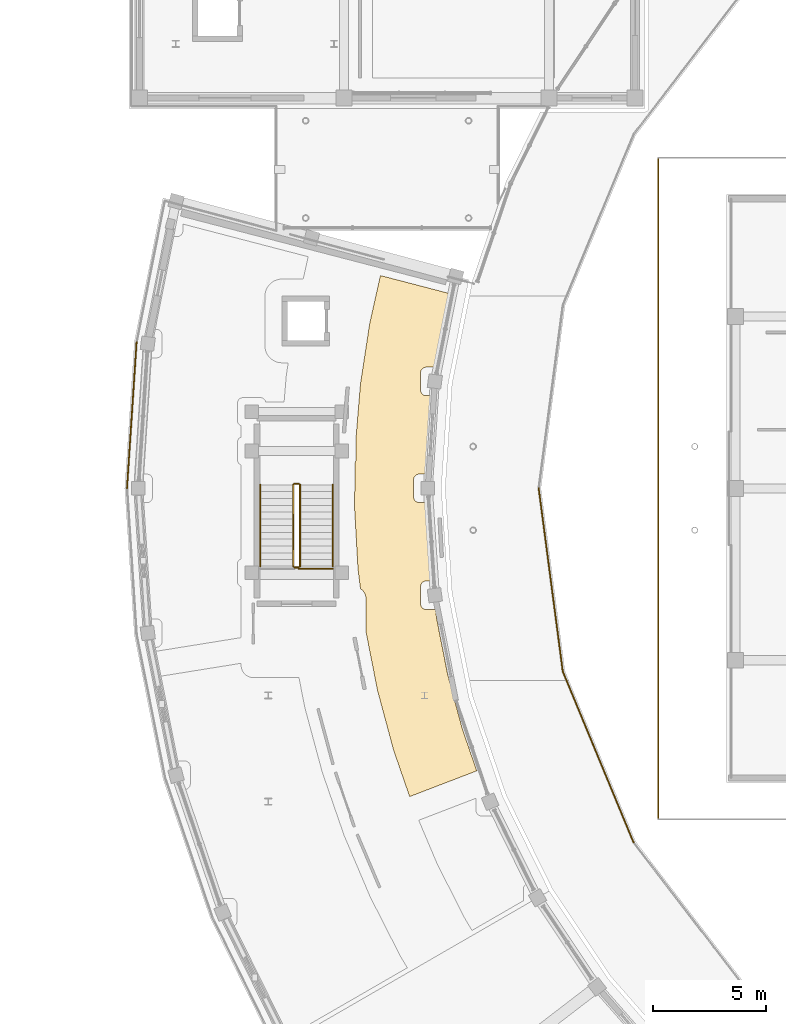
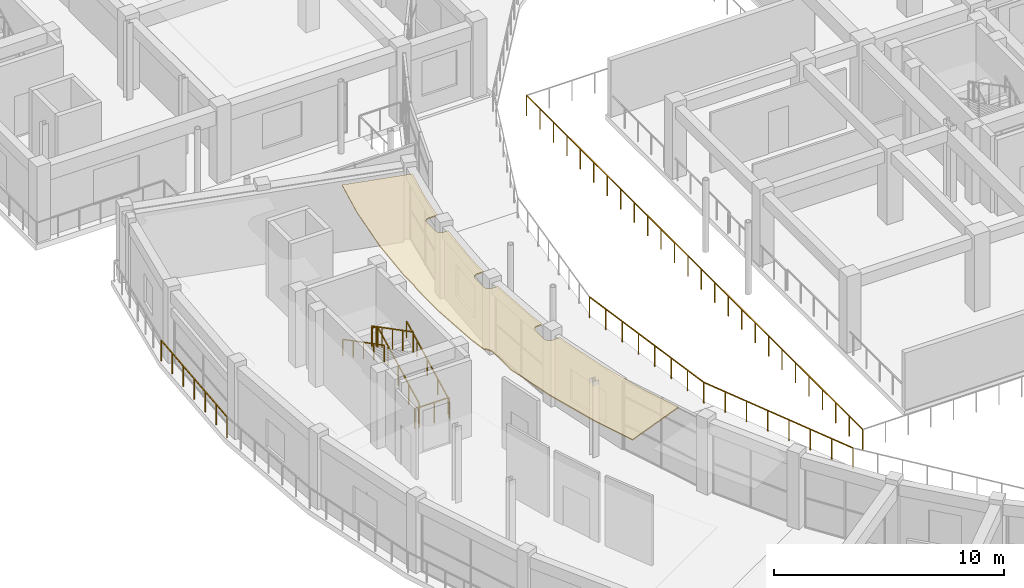
# One storey, part 71 of 83: 11 railings, 1 covering.
"""IFC4 building model written with IfcOpenShell, lengths in metres."""

from ifc_helpers import new_model, si_unit, direction, frame, origin, origin_2d, place, context, subcontext, project, spatial, polyline, rectangle, outline, extrude, material, layer, layer_set, type_object, element, save


model = new_model("IFC4")

# Units and contexts
model_context = context("Model", 3, precision=1e-05, world=origin(), true_north=direction((0.0, 1.0)))
body_context = subcontext(model_context, "Body", "Model", "MODEL_VIEW")
ifc_project = project(units=[si_unit("LENGTHUNIT", "METRE"), si_unit("AREAUNIT", "SQUARE_METRE"), si_unit("VOLUMEUNIT", "CUBIC_METRE"), si_unit("PLANEANGLEUNIT", "RADIAN"), si_unit("MASSUNIT", "GRAM", prefix="KILO")], contexts=[model_context])

# Site, building, storey
site_placement = place(None, origin())
site = spatial("IfcSite", under=ifc_project, at=site_placement, CompositionType="ELEMENT")
building_placement = place(site_placement, origin())
building = spatial("IfcBuilding", under=site, at=building_placement, Name="Saryqyr Civic Hall", CompositionType="ELEMENT")
storey_placement = place(building_placement, frame((0.0, 0.0, 9.14990234375)))
storey = spatial("IfcBuildingStorey", under=building, at=storey_placement, Name="L02", CompositionType="ELEMENT", Elevation=9.14990234375)

# Railing
ifc_material_1 = material(Name="Stainless steel and laminated glass", Category="steel")
ifc_layer_1 = layer(ifc_material_1, 0.06005859375, Name="Stainless steel and laminated glass")
ifc_layer_set_1 = layer_set([ifc_layer_1], Name="Stainless steel and laminated glass")
railing_type_1 = type_object("IfcRailingType", Name="ENV-RLG-BAL-1100", PredefinedType="BALUSTRADE", material=ifc_layer_set_1)
railing_1_placement = place(storey_placement, frame((30.97998046875, 98.6201171875, 0.0)))
element("IfcRailing", 1, at=railing_1_placement, inside=storey, type_object=railing_type_1, Name="Perimeter safety balustrade V1-STEPG-L02-G10", PredefinedType="BALUSTRADE", context=body_context, shape_type="SweptSolid", body=[
    extrude(rectangle(XDim=0.048095703125, YDim=0.048095703125, at=origin_2d()), frame((0.0, 0.0, 1.076171875), z_axis=(0.0, -1.0, 0.0), x_axis=(1.0, 0.0, 0.0)), (0.0, 0.0, 1.0), 29.240234375),
    extrude(rectangle(XDim=0.0419921875, YDim=0.0419921875, at=origin_2d()), origin(), (0.0, 0.0, 1.0), 1.052001953125),
    extrude(rectangle(XDim=0.0419921875, YDim=0.0419921875, at=origin_2d()), frame((0.0, -1.169677734375, 0.0)), (0.0, 0.0, 1.0), 1.052001953125),
    extrude(rectangle(XDim=0.0419921875, YDim=0.0419921875, at=origin_2d()), frame((0.0, -2.339111328125, 0.0)), (0.0, 0.0, 1.0), 1.052001953125),
    extrude(rectangle(XDim=0.0419921875, YDim=0.0419921875, at=origin_2d()), frame((0.0, -3.5087890625, 0.0)), (0.0, 0.0, 1.0), 1.052001953125),
    extrude(rectangle(XDim=0.0419921875, YDim=0.0419921875, at=origin_2d()), frame((0.0, -4.678466796875, 0.0)), (0.0, 0.0, 1.0), 1.052001953125),
    extrude(rectangle(XDim=0.0419921875, YDim=0.0419921875, at=origin_2d()), frame((0.0, -5.84814453125, 0.0)), (0.0, 0.0, 1.0), 1.052001953125),
    extrude(rectangle(XDim=0.0419921875, YDim=0.0419921875, at=origin_2d()), frame((0.0, -7.017578125, 0.0)), (0.0, 0.0, 1.0), 1.052001953125),
    extrude(rectangle(XDim=0.0419921875, YDim=0.0419921875, at=origin_2d()), frame((0.0, -8.187255859375, 0.0)), (0.0, 0.0, 1.0), 1.052001953125),
    extrude(rectangle(XDim=0.0419921875, YDim=0.0419921875, at=origin_2d()), frame((0.0, -9.35693359375, 0.0)), (0.0, 0.0, 1.0), 1.052001953125),
    extrude(rectangle(XDim=0.0419921875, YDim=0.0419921875, at=origin_2d()), frame((0.0, -10.5263671875, 0.0)), (0.0, 0.0, 1.0), 1.052001953125),
    extrude(rectangle(XDim=0.0419921875, YDim=0.0419921875, at=origin_2d()), frame((0.0, -11.696044921875, 0.0)), (0.0, 0.0, 1.0), 1.052001953125),
    extrude(rectangle(XDim=0.0419921875, YDim=0.0419921875, at=origin_2d()), frame((0.0, -12.86572265625, 0.0)), (0.0, 0.0, 1.0), 1.052001953125),
    extrude(rectangle(XDim=0.0419921875, YDim=0.0419921875, at=origin_2d()), frame((0.0, -14.035400390625, 0.0)), (0.0, 0.0, 1.0), 1.052001953125),
    extrude(rectangle(XDim=0.0419921875, YDim=0.0419921875, at=origin_2d()), frame((0.0, -15.204833984375, 0.0)), (0.0, 0.0, 1.0), 1.052001953125),
    extrude(rectangle(XDim=0.0419921875, YDim=0.0419921875, at=origin_2d()), frame((0.0, -16.37451171875, 0.0)), (0.0, 0.0, 1.0), 1.052001953125),
    extrude(rectangle(XDim=0.0419921875, YDim=0.0419921875, at=origin_2d()), frame((0.0, -17.544189453125, 0.0)), (0.0, 0.0, 1.0), 1.052001953125),
    extrude(rectangle(XDim=0.0419921875, YDim=0.0419921875, at=origin_2d()), frame((0.0, -18.7138671875, 0.0)), (0.0, 0.0, 1.0), 1.052001953125),
    extrude(rectangle(XDim=0.0419921875, YDim=0.0419921875, at=origin_2d()), frame((0.0, -19.88330078125, 0.0)), (0.0, 0.0, 1.0), 1.052001953125),
    extrude(rectangle(XDim=0.0419921875, YDim=0.0419921875, at=origin_2d()), frame((0.0, -21.052978515625, 0.0)), (0.0, 0.0, 1.0), 1.052001953125),
    extrude(rectangle(XDim=0.0419921875, YDim=0.0419921875, at=origin_2d()), frame((0.0, -22.22265625, 0.0)), (0.0, 0.0, 1.0), 1.052001953125),
    extrude(rectangle(XDim=0.0419921875, YDim=0.0419921875, at=origin_2d()), frame((0.0, -23.39208984375, 0.0)), (0.0, 0.0, 1.0), 1.052001953125),
    extrude(rectangle(XDim=0.0419921875, YDim=0.0419921875, at=origin_2d()), frame((0.0, -24.561767578125, 0.0)), (0.0, 0.0, 1.0), 1.052001953125),
    extrude(rectangle(XDim=0.0419921875, YDim=0.0419921875, at=origin_2d()), frame((0.0, -25.7314453125, 0.0)), (0.0, 0.0, 1.0), 1.052001953125),
    extrude(rectangle(XDim=0.0419921875, YDim=0.0419921875, at=origin_2d()), frame((0.0, -26.901123046875, 0.0)), (0.0, 0.0, 1.0), 1.052001953125),
    extrude(rectangle(XDim=0.0419921875, YDim=0.0419921875, at=origin_2d()), frame((0.0, -28.070556640625, 0.0)), (0.0, 0.0, 1.0), 1.052001953125),
    extrude(rectangle(XDim=0.0419921875, YDim=0.0419921875, at=origin_2d()), frame((0.0, -29.240234375, 0.0)), (0.0, 0.0, 1.0), 1.052001953125),
])

# Covering
ifc_material_2 = material(Name="Mineral-fibre acoustic ceiling tile", Category="acoustic_tile")
ifc_layer_2 = layer(ifc_material_2, 0.06005859375, Name="Mineral-fibre acoustic ceiling tile")
ifc_layer_set_2 = layer_set([ifc_layer_2], Name="Mineral-fibre acoustic ceiling tile")
covering_type = type_object("IfcCoveringType", Name="INT-COV-CEIL-60", PredefinedType="CEILING", material=ifc_layer_set_2)
covering_placement = place(storey_placement, frame((0.0, 0.0, 3.72998046875)))
element("IfcCovering", 2, at=covering_placement, inside=storey, type_object=covering_type, Name="Acoustic ceiling Urban Architecture & GIS Studio", PredefinedType="CEILING", context=body_context, shape_type="SweptSolid", body=[
    extrude(outline(polyline([(17.58544921875, 85.143798828125), (17.590576171875, 85.152099609375), (17.60107421875, 85.17431640625), (17.609130859375, 85.197509765625), (17.615234375, 85.22119140625), (17.618896484375, 85.24560546875), (17.6201171875, 85.27001953125), (17.6201171875, 86.030029296875), (17.618896484375, 86.054443359375), (17.615234375, 86.078857421875), (17.612548828125, 86.089599609375), (17.818603515625, 88.592529296875), (18.22900390625, 91.28564453125), (18.703857421875, 93.406982421875), (21.780517578125, 92.605712890625), (21.35791015625, 90.717041015625), (21.350830078125, 90.6796875), (21.14892578125, 89.35498046875), (20.729736328125, 89.35498046875), (20.705078125, 89.353759765625), (20.680908203125, 89.35009765625), (20.656982421875, 89.34423828125), (20.634033203125, 89.3359375), (20.61181640625, 89.325439453125), (20.5908203125, 89.31298828125), (20.571044921875, 89.29833984375), (20.552978515625, 89.28173828125), (20.536376953125, 89.263671875), (20.521728515625, 89.243896484375), (20.50927734375, 89.222900390625), (20.498779296875, 89.20068359375), (20.490478515625, 89.177490234375), (20.484619140625, 89.15380859375), (20.48095703125, 89.12939453125), (20.479736328125, 89.10498046875), (20.479736328125, 88.344970703125), (20.48095703125, 88.320556640625), (20.484619140625, 88.296142578125), (20.490478515625, 88.2724609375), (20.498779296875, 88.249267578125), (20.50927734375, 88.227294921875), (20.521728515625, 88.2060546875), (20.536376953125, 88.186279296875), (20.552978515625, 88.168212890625), (20.571044921875, 88.151611328125), (20.5908203125, 88.13720703125), (20.61181640625, 88.12451171875), (20.634033203125, 88.114013671875), (20.656982421875, 88.105712890625), (20.680908203125, 88.099853515625), (20.705078125, 88.09619140625), (20.729736328125, 88.094970703125), (20.9658203125, 88.094970703125), (20.7724609375, 85.7451171875), (20.7705078125, 85.707275390625), (20.75634765625, 84.6298828125), (20.419921875, 84.6298828125), (20.3955078125, 84.62890625), (20.37109375, 84.625244140625), (20.347412109375, 84.619140625), (20.32421875, 84.611083984375), (20.30224609375, 84.6005859375), (20.281005859375, 84.587890625), (20.261474609375, 84.5732421875), (20.2431640625, 84.556884765625), (20.226806640625, 84.53857421875), (20.212158203125, 84.518798828125), (20.199462890625, 84.497802734375), (20.18896484375, 84.4755859375), (20.180908203125, 84.45263671875), (20.1748046875, 84.4287109375), (20.171142578125, 84.404541015625), (20.169921875, 84.3798828125), (20.169921875, 83.6201171875), (20.171142578125, 83.595458984375), (20.1748046875, 83.5712890625), (20.180908203125, 83.54736328125), (20.18896484375, 83.5244140625), (20.199462890625, 83.502197265625), (20.212158203125, 83.481201171875), (20.226806640625, 83.46142578125), (20.2431640625, 83.443115234375), (20.261474609375, 83.4267578125), (20.281005859375, 83.412109375), (20.30224609375, 83.3994140625), (20.32421875, 83.388916015625), (20.347412109375, 83.380859375), (20.37109375, 83.374755859375), (20.3955078125, 83.37109375), (20.419921875, 83.3701171875), (20.739990234375, 83.3701171875), (20.73828125, 83.240966796875), (20.739013671875, 83.202880859375), (20.877197265625, 80.739990234375), (20.880615234375, 80.702392578125), (20.980712890625, 79.905029296875), (20.729736328125, 79.905029296875), (20.705078125, 79.90380859375), (20.680908203125, 79.900146484375), (20.656982421875, 79.894287109375), (20.634033203125, 79.885986328125), (20.61181640625, 79.87548828125), (20.5908203125, 79.86279296875), (20.571044921875, 79.848388671875), (20.552978515625, 79.831787109375), (20.536376953125, 79.813720703125), (20.521728515625, 79.7939453125), (20.50927734375, 79.772705078125), (20.498779296875, 79.750732421875), (20.490478515625, 79.7275390625), (20.484619140625, 79.703857421875), (20.48095703125, 79.679443359375), (20.479736328125, 79.655029296875), (20.479736328125, 78.89501953125), (20.48095703125, 78.87060546875), (20.484619140625, 78.84619140625), (20.490478515625, 78.822509765625), (20.498779296875, 78.79931640625), (20.50927734375, 78.777099609375), (20.521728515625, 78.756103515625), (20.536376953125, 78.736328125), (20.552978515625, 78.71826171875), (20.571044921875, 78.70166015625), (20.5908203125, 78.68701171875), (20.61181640625, 78.674560546875), (20.634033203125, 78.6640625), (20.656982421875, 78.65576171875), (20.680908203125, 78.64990234375), (20.705078125, 78.646240234375), (20.729736328125, 78.64501953125), (21.13916015625, 78.64501953125), (21.188232421875, 78.2548828125), (21.194091796875, 78.21728515625), (21.670166015625, 75.797119140625), (21.6787109375, 75.760009765625), (22.3203125, 73.37841796875), (22.33154296875, 73.342041015625), (22.962890625, 71.5126953125), (19.9951171875, 70.37255859375), (19.285888671875, 72.427490234375), (18.5771484375, 75.0576171875), (18.070068359375, 77.637451171875), (18.06982421875, 79.10205078125), (18.067138671875, 79.15625), (18.05908203125, 79.209716796875), (18.0458984375, 79.262451171875), (18.027587890625, 79.3134765625), (18.00439453125, 79.3623046875), (17.976318359375, 79.40869140625), (17.94384765625, 79.452392578125), (17.907470703125, 79.4921875), (17.866943359375, 79.528564453125), (17.8232421875, 79.560791015625), (17.821533203125, 79.561767578125), (17.7119140625, 80.43359375), (17.559326171875, 83.153564453125), (17.58544921875, 85.143798828125)])), origin(), (0.0, 0.0, 1.0), 0.06005859375),
])

# Railings
ifc_material_3 = material(Name="Warm brushed brass and laminated glass", Category="glass")
ifc_layer_3 = layer(ifc_material_3, 0.06005859375, Name="Warm brushed brass and laminated glass")
ifc_layer_set_3 = layer_set([ifc_layer_3], Name="Warm brushed brass and laminated glass")
railing_type_2 = type_object("IfcRailingType", Name="INT-RLG-BAL-1100", PredefinedType="BALUSTRADE", material=ifc_layer_set_3)
railing_2_placement = place(storey_placement, frame((15.14990234375, 80.550048828125, 0.15576171875)))
element("IfcRailing", 3, at=railing_2_placement, inside=storey, type_object=railing_type_2, Name="L02 ST-4 stair guard 1", PredefinedType="BALUSTRADE", context=body_context, shape_type="SweptSolid", body=[
    extrude(rectangle(XDim=0.048095703125, YDim=0.048095703125, at=origin_2d()), frame((0.0, 0.0, 1.076171875), z_axis=(0.0, 0.887472880572, 0.460859942119), x_axis=(-1.0, 0.0, 0.0)), (0.0, 0.0, 1.0), 4.056396484375),
    extrude(rectangle(XDim=0.0419921875, YDim=0.0419921875, at=origin_2d()), origin(), (0.0, 0.0, 1.0), 1.052001953125),
    extrude(rectangle(XDim=0.0419921875, YDim=0.0419921875, at=origin_2d()), frame((0.0, 0.89990234375, 0.46728515625)), (0.0, 0.0, 1.0), 1.052001953125),
    extrude(rectangle(XDim=0.0419921875, YDim=0.0419921875, at=origin_2d()), frame((0.0, 1.7998046875, 0.9345703125)), (0.0, 0.0, 1.0), 1.052001953125),
    extrude(rectangle(XDim=0.0419921875, YDim=0.0419921875, at=origin_2d()), frame((0.0, 2.699951171875, 1.402099609375)), (0.0, 0.0, 1.0), 1.052001953125),
    extrude(rectangle(XDim=0.0419921875, YDim=0.0419921875, at=origin_2d()), frame((0.0, 3.599853515625, 1.869384765625)), (0.0, 0.0, 1.0), 1.052001953125),
])
railing_3_placement = place(storey_placement, frame((15.10009765625, 84.199951171875, 2.025146484375)))
element("IfcRailing", 4, at=railing_3_placement, inside=storey, type_object=railing_type_2, Name="L02 ST-4 stair guard 2", PredefinedType="BALUSTRADE", context=body_context, shape_type="SweptSolid", body=[
    extrude(rectangle(XDim=0.048095703125, YDim=0.048095703125, at=origin_2d()), frame((0.0, 0.0, 1.076171875), z_axis=(-1.0, 0.0, 0.0), x_axis=(0.0, -1.0, 0.0)), (0.0, 0.0, 1.0), 0.2001953125),
    extrude(rectangle(XDim=0.0419921875, YDim=0.0419921875, at=origin_2d()), origin(), (0.0, 0.0, 1.0), 1.052001953125),
    extrude(rectangle(XDim=0.0419921875, YDim=0.0419921875, at=origin_2d()), frame((-0.2001953125, 0.0, 0.0)), (0.0, 0.0, 1.0), 1.052001953125),
])
railing_4_placement = place(storey_placement, frame((14.85009765625, 84.14990234375, 2.180908203125)))
element("IfcRailing", 5, at=railing_4_placement, inside=storey, type_object=railing_type_2, Name="L02 ST-4 stair guard 3", PredefinedType="BALUSTRADE", context=body_context, shape_type="SweptSolid", body=[
    extrude(rectangle(XDim=0.048095703125, YDim=0.048095703125, at=origin_2d()), frame((0.0, 0.0, 1.076171875), z_axis=(0.0, -0.887497496945, 0.460812535545), x_axis=(1.0, 0.0, 0.0)), (0.0, 0.0, 1.0), 4.05615234375),
    extrude(rectangle(XDim=0.0419921875, YDim=0.0419921875, at=origin_2d()), origin(), (0.0, 0.0, 1.0), 1.052001953125),
    extrude(rectangle(XDim=0.0419921875, YDim=0.0419921875, at=origin_2d()), frame((0.0, -0.89990234375, 0.46728515625)), (0.0, 0.0, 1.0), 1.052001953125),
    extrude(rectangle(XDim=0.0419921875, YDim=0.0419921875, at=origin_2d()), frame((0.0, -1.7998046875, 0.9345703125)), (0.0, 0.0, 1.0), 1.052001953125),
    extrude(rectangle(XDim=0.0419921875, YDim=0.0419921875, at=origin_2d()), frame((0.0, -2.699951171875, 1.40185546875)), (0.0, 0.0, 1.0), 1.052001953125),
    extrude(rectangle(XDim=0.0419921875, YDim=0.0419921875, at=origin_2d()), frame((0.0, -3.599853515625, 1.869140625)), (0.0, 0.0, 1.0), 1.052001953125),
])
railing_5_placement = place(storey_placement, frame((15.10009765625, 80.5, 0.0)))
element("IfcRailing", 6, at=railing_5_placement, inside=storey, type_object=railing_type_2, Name="L02 ST-4 stair guard 4", PredefinedType="BALUSTRADE", context=body_context, shape_type="SweptSolid", body=[
    extrude(rectangle(XDim=0.048095703125, YDim=0.048095703125, at=origin_2d()), frame((0.0, 0.0, 1.076171875), z_axis=(-1.0, 0.0, 0.0), x_axis=(0.0, -1.0, 0.0)), (0.0, 0.0, 1.0), 0.2001953125),
    extrude(rectangle(XDim=0.0419921875, YDim=0.0419921875, at=origin_2d()), origin(), (0.0, 0.0, 1.0), 1.052001953125),
    extrude(rectangle(XDim=0.0419921875, YDim=0.0419921875, at=origin_2d()), frame((-0.2001953125, 0.0, 0.0)), (0.0, 0.0, 1.0), 1.052001953125),
])
railing_6_placement = place(storey_placement, frame((7.500244140625, 84.0, 0.0)))
element("IfcRailing", 7, at=railing_6_placement, inside=storey, type_object=railing_type_2, Name="Interior deck safety balustrade L02-011", PredefinedType="BALUSTRADE", context=body_context, shape_type="SweptSolid", body=[
    extrude(rectangle(XDim=0.048095703125, YDim=0.048095703125, at=origin_2d()), frame((0.0, 0.0, 1.09619140625), z_axis=(0.0653827723, 0.997860257294, 0.0), x_axis=(-0.997860257294, 0.0653827723, 0.0)), (0.0, 0.0, 1.0), 6.474853515625),
    extrude(rectangle(XDim=0.0419921875, YDim=0.0419921875, at=origin_2d()), origin(), (0.0, 0.0, 1.0), 1.072021484375),
    extrude(rectangle(XDim=0.0419921875, YDim=0.0419921875, at=origin_2d()), frame((0.070556640625, 1.076904296875, 0.0)), (0.0, 0.0, 1.0), 1.072021484375),
    extrude(rectangle(XDim=0.0419921875, YDim=0.0419921875, at=origin_2d()), frame((0.14111328125, 2.153564453125, 0.0)), (0.0, 0.0, 1.0), 1.072021484375),
    extrude(rectangle(XDim=0.0419921875, YDim=0.0419921875, at=origin_2d()), frame((0.211669921875, 3.23046875, 0.0)), (0.0, 0.0, 1.0), 1.072021484375),
    extrude(rectangle(XDim=0.0419921875, YDim=0.0419921875, at=origin_2d()), frame((0.2822265625, 4.307373046875, 0.0)), (0.0, 0.0, 1.0), 1.072021484375),
    extrude(rectangle(XDim=0.0419921875, YDim=0.0419921875, at=origin_2d()), frame((0.352783203125, 5.384033203125, 0.0)), (0.0, 0.0, 1.0), 1.072021484375),
    extrude(rectangle(XDim=0.0419921875, YDim=0.0419921875, at=origin_2d()), frame((0.42333984375, 6.4609375, 0.0)), (0.0, 0.0, 1.0), 1.072021484375),
])
railing_7_placement = place(storey_placement, frame((25.69921875, 84.0, 0.0)))
element("IfcRailing", 8, at=railing_7_placement, inside=storey, type_object=railing_type_2, Name="Interior deck safety balustrade L02-077", PredefinedType="BALUSTRADE", context=body_context, shape_type="SweptSolid", body=[
    extrude(rectangle(XDim=0.048095703125, YDim=0.048095703125, at=origin_2d()), frame((0.0, 0.0, 1.09619140625), z_axis=(0.130507841558, -0.991447277112, 0.0), x_axis=(0.991447277112, 0.130507841558, 0.0)), (0.0, 0.0, 1.0), 8.171142578125),
    extrude(rectangle(XDim=0.0419921875, YDim=0.0419921875, at=origin_2d()), origin(), (0.0, 0.0, 1.0), 1.072021484375),
    extrude(rectangle(XDim=0.0419921875, YDim=0.0419921875, at=origin_2d()), frame((0.15234375, -1.1572265625, 0.0)), (0.0, 0.0, 1.0), 1.072021484375),
    extrude(rectangle(XDim=0.0419921875, YDim=0.0419921875, at=origin_2d()), frame((0.3046875, -2.314697265625, 0.0)), (0.0, 0.0, 1.0), 1.072021484375),
    extrude(rectangle(XDim=0.0419921875, YDim=0.0419921875, at=origin_2d()), frame((0.45703125, -3.471923828125, 0.0)), (0.0, 0.0, 1.0), 1.072021484375),
    extrude(rectangle(XDim=0.0419921875, YDim=0.0419921875, at=origin_2d()), frame((0.609375, -4.62939453125, 0.0)), (0.0, 0.0, 1.0), 1.072021484375),
    extrude(rectangle(XDim=0.0419921875, YDim=0.0419921875, at=origin_2d()), frame((0.76171875, -5.78662109375, 0.0)), (0.0, 0.0, 1.0), 1.072021484375),
    extrude(rectangle(XDim=0.0419921875, YDim=0.0419921875, at=origin_2d()), frame((0.9140625, -6.944091796875, 0.0)), (0.0, 0.0, 1.0), 1.072021484375),
    extrude(rectangle(XDim=0.0419921875, YDim=0.0419921875, at=origin_2d()), frame((1.06640625, -8.101318359375, 0.0)), (0.0, 0.0, 1.0), 1.072021484375),
])
railing_8_placement = place(storey_placement, frame((26.765625, 75.898681640625, 0.0)))
element("IfcRailing", 9, at=railing_8_placement, inside=storey, type_object=railing_type_2, Name="Interior deck safety balustrade L02-078", PredefinedType="BALUSTRADE", context=body_context, shape_type="SweptSolid", body=[
    extrude(rectangle(XDim=0.048095703125, YDim=0.048095703125, at=origin_2d()), frame((0.0, 0.0, 1.09619140625), z_axis=(0.382686044841, -0.923878450384, 0.0), x_axis=(0.923878450384, 0.382686044841, 0.0)), (0.0, 0.0, 1.0), 8.171142578125),
    extrude(rectangle(XDim=0.0419921875, YDim=0.0419921875, at=origin_2d()), origin(), (0.0, 0.0, 1.0), 1.072021484375),
    extrude(rectangle(XDim=0.0419921875, YDim=0.0419921875, at=origin_2d()), frame((0.44677734375, -1.078369140625, 0.0)), (0.0, 0.0, 1.0), 1.072021484375),
    extrude(rectangle(XDim=0.0419921875, YDim=0.0419921875, at=origin_2d()), frame((0.893310546875, -2.156982421875, 0.0)), (0.0, 0.0, 1.0), 1.072021484375),
    extrude(rectangle(XDim=0.0419921875, YDim=0.0419921875, at=origin_2d()), frame((1.340087890625, -3.2353515625, 0.0)), (0.0, 0.0, 1.0), 1.072021484375),
    extrude(rectangle(XDim=0.0419921875, YDim=0.0419921875, at=origin_2d()), frame((1.786865234375, -4.313720703125, 0.0)), (0.0, 0.0, 1.0), 1.072021484375),
    extrude(rectangle(XDim=0.0419921875, YDim=0.0419921875, at=origin_2d()), frame((2.233642578125, -5.39208984375, 0.0)), (0.0, 0.0, 1.0), 1.072021484375),
    extrude(rectangle(XDim=0.0419921875, YDim=0.0419921875, at=origin_2d()), frame((2.68017578125, -6.470703125, 0.0)), (0.0, 0.0, 1.0), 1.072021484375),
    extrude(rectangle(XDim=0.0419921875, YDim=0.0419921875, at=origin_2d()), frame((3.126953125, -7.549072265625, 0.0)), (0.0, 0.0, 1.0), 1.072021484375),
])
railing_9_placement = place(storey_placement, frame((15.10009765625, 80.449951171875, 0.0)))
element("IfcRailing", 10, at=railing_9_placement, inside=storey, type_object=railing_type_2, Name="Interior deck safety balustrade L02-104", PredefinedType="BALUSTRADE", context=body_context, shape_type="SweptSolid", body=[
    extrude(rectangle(XDim=0.048095703125, YDim=0.048095703125, at=origin_2d()), frame((0.0, 0.0, 1.09619140625), z_axis=(1.0, 0.0, 0.0), x_axis=(0.0, 1.0, 0.0)), (0.0, 0.0, 1.0), 1.5048828125),
    extrude(rectangle(XDim=0.0419921875, YDim=0.0419921875, at=origin_2d()), origin(), (0.0, 0.0, 1.0), 1.072021484375),
    extrude(rectangle(XDim=0.0419921875, YDim=0.0419921875, at=origin_2d()), frame((0.75244140625, 0.0, 0.0)), (0.0, 0.0, 1.0), 1.072021484375),
    extrude(rectangle(XDim=0.0419921875, YDim=0.0419921875, at=origin_2d()), frame((1.5048828125, 0.0, 0.0)), (0.0, 0.0, 1.0), 1.072021484375),
])
ifc_material_4 = material(Name="Stainless steel", Category="steel")
ifc_layer_4 = layer(ifc_material_4, 0.050048828125, Name="Stainless steel")
ifc_layer_set_4 = layer_set([ifc_layer_4], Name="Stainless steel")
railing_type_3 = type_object("IfcRailingType", Name="INT-RLG-HND-900", PredefinedType="HANDRAIL", material=ifc_layer_set_4)
railing_10_placement = place(storey_placement, frame((16.60009765625, 80.550048828125, 0.15576171875)))
element("IfcRailing", 11, at=railing_10_placement, inside=storey, type_object=railing_type_3, Name="L02 ST-4 stair handrail 1", PredefinedType="HANDRAIL", context=body_context, shape_type="SweptSolid", body=[
    extrude(rectangle(XDim=0.048095703125, YDim=0.048095703125, at=origin_2d()), frame((0.0, 0.0, 0.8759765625), z_axis=(0.0, 0.887472880572, 0.460859942119), x_axis=(-1.0, 0.0, 0.0)), (0.0, 0.0, 1.0), 4.056396484375),
    extrude(rectangle(XDim=0.0419921875, YDim=0.0419921875, at=origin_2d()), origin(), (0.0, 0.0, 1.0), 0.851806640625),
    extrude(rectangle(XDim=0.0419921875, YDim=0.0419921875, at=origin_2d()), frame((0.0, 0.89990234375, 0.46728515625)), (0.0, 0.0, 1.0), 0.851806640625),
    extrude(rectangle(XDim=0.0419921875, YDim=0.0419921875, at=origin_2d()), frame((0.0, 1.7998046875, 0.9345703125)), (0.0, 0.0, 1.0), 0.851806640625),
    extrude(rectangle(XDim=0.0419921875, YDim=0.0419921875, at=origin_2d()), frame((0.0, 2.699951171875, 1.402099609375)), (0.0, 0.0, 1.0), 0.851806640625),
    extrude(rectangle(XDim=0.0419921875, YDim=0.0419921875, at=origin_2d()), frame((0.0, 3.599853515625, 1.869384765625)), (0.0, 0.0, 1.0), 0.851806640625),
])
railing_11_placement = place(storey_placement, frame((13.39990234375, 84.14990234375, 2.180908203125)))
element("IfcRailing", 12, at=railing_11_placement, inside=storey, type_object=railing_type_3, Name="L02 ST-4 stair handrail 2", PredefinedType="HANDRAIL", context=body_context, shape_type="SweptSolid", body=[
    extrude(rectangle(XDim=0.048095703125, YDim=0.048095703125, at=origin_2d()), frame((0.0, 0.0, 0.8759765625), z_axis=(0.0, -0.887497496945, 0.460812535545), x_axis=(1.0, 0.0, 0.0)), (0.0, 0.0, 1.0), 4.05615234375),
    extrude(rectangle(XDim=0.0419921875, YDim=0.0419921875, at=origin_2d()), origin(), (0.0, 0.0, 1.0), 0.851806640625),
    extrude(rectangle(XDim=0.0419921875, YDim=0.0419921875, at=origin_2d()), frame((0.0, -0.89990234375, 0.46728515625)), (0.0, 0.0, 1.0), 0.851806640625),
    extrude(rectangle(XDim=0.0419921875, YDim=0.0419921875, at=origin_2d()), frame((0.0, -1.7998046875, 0.9345703125)), (0.0, 0.0, 1.0), 0.851806640625),
    extrude(rectangle(XDim=0.0419921875, YDim=0.0419921875, at=origin_2d()), frame((0.0, -2.699951171875, 1.40185546875)), (0.0, 0.0, 1.0), 0.851806640625),
    extrude(rectangle(XDim=0.0419921875, YDim=0.0419921875, at=origin_2d()), frame((0.0, -3.599853515625, 1.869140625)), (0.0, 0.0, 1.0), 0.851806640625),
])

save(model, "model.ifc")
